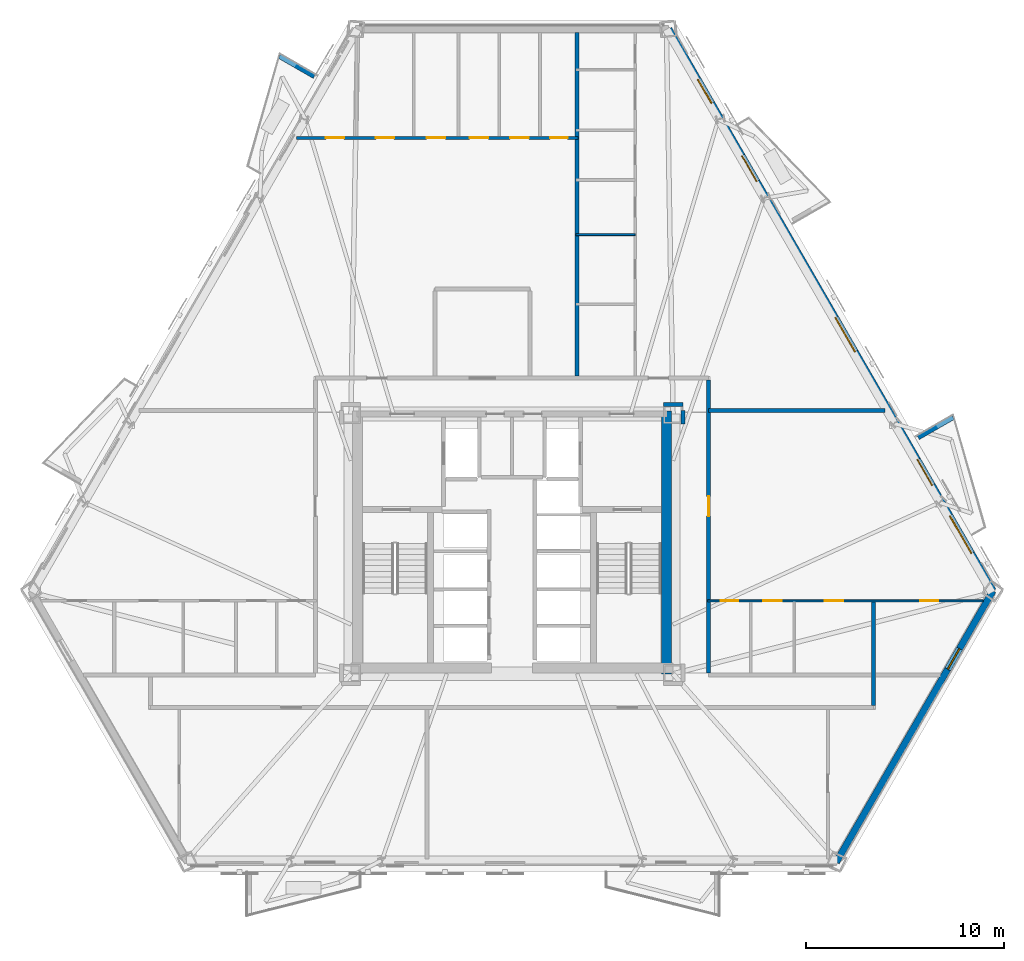
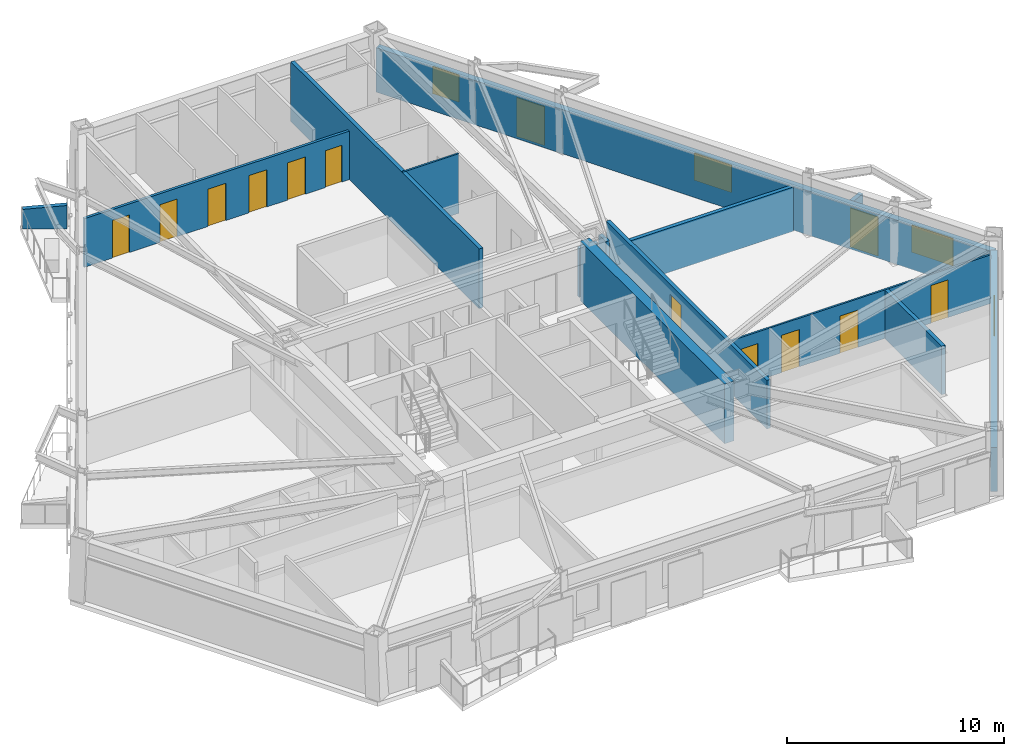
# One storey, part 5 of 12: 14 walls, 13 doors, 4 windows, 17 openings.
"""IFC4 building model written with IfcOpenShell, lengths in metres."""

from ifc_helpers import new_model, si_unit, direction, frame, frame_2d, origin, place, context, subcontext, project, spatial, polyline, rectangle, outline, extrude, material, layer, layer_set, type_object, element, fill, save


model = new_model("IFC4")

# Units and contexts
model_context = context("Model", 3, precision=1e-05, world=origin(), true_north=direction((0.0, 1.0)))
body_context = subcontext(model_context, "Body", "Model", "MODEL_VIEW")
ifc_project = project(units=[si_unit("LENGTHUNIT", "METRE"), si_unit("AREAUNIT", "SQUARE_METRE"), si_unit("VOLUMEUNIT", "CUBIC_METRE"), si_unit("PLANEANGLEUNIT", "RADIAN"), si_unit("MASSUNIT", "GRAM", prefix="KILO")], contexts=[model_context])

# Site, building, storey
site_placement = place(None, origin())
site = spatial("IfcSite", under=ifc_project, at=site_placement, CompositionType="ELEMENT")
building_placement = place(site_placement, origin())
building = spatial("IfcBuilding", under=site, at=building_placement, Name="Oramaril Tower", CompositionType="ELEMENT")
storey_placement = place(building_placement, frame((0.0, 0.0, 30.89990234375)))
storey = spatial("IfcBuildingStorey", under=building, at=storey_placement, Name="L07", CompositionType="ELEMENT", Elevation=30.89990234375)

# Wall, opening, window
ifc_material_1 = material(Name="Warm Cream Limestone", Category="masonry")
ifc_layer_1 = layer(ifc_material_1, 0.340087890625)
ifc_layer_set_1 = layer_set([ifc_layer_1], Name="WT-EXT34")
wall_type_1 = type_object("IfcWallType", Name="WT-EXT34", PredefinedType="SOLIDWALL", material=ifc_layer_set_1)
wall_1_placement = place(storey_placement, frame((53.912353515625, 1.4658203125, 0.0), z_axis=(0.0, 0.0, 1.0), x_axis=(0.500005775488, 0.866022069279, 0.0)))
wall_1 = element("IfcWall", 1, at=wall_1_placement, inside=storey, type_object=wall_type_1, Name="L07 Tower Limestone Facade Wall 3M", PredefinedType="SOLIDWALL", context=body_context, shape_type="SweptSolid", body=[
    extrude(rectangle(XDim=15.863037109375, YDim=0.340087890625, at=frame_2d((7.931640625, 0.0))), origin(), (0.0, 0.0, 1.0), 2.494140625),
])
opening_1_placement = place(wall_1_placement, frame((11.27587890625, 0.0, 0.85009765625)))
opening_1 = element("IfcOpeningElement", 2, at=opening_1_placement, cuts=wall_1, Name="Opening WN-09", PredefinedType="OPENING", context=body_context, shape_type="SweptSolid", body=[
    extrude(rectangle(XDim=1.199951171875, YDim=1.47998046875, at=frame_2d((0.60009765625, 0.739990234375))), frame((0.0, 0.169921875, 0.0), z_axis=(0.0, -1.0, 0.0), x_axis=(1.0, 0.0, 0.0)), (0.0, 0.0, 1.0), 0.340087890625),
])
ifc_material_2 = material(Name="Coastal Low-E Insulated Glass", Category="glass")
window_type_1 = type_object("IfcWindowType", Name="WNT-09", PartitioningType="SINGLE_PANEL", PredefinedType="WINDOW", material=ifc_material_2)
window_1_placement = place(opening_1_placement, origin())
window_1 = element("IfcWindow", 3, at=window_1_placement, inside=storey, type_object=window_type_1, Name="L07 Apartment Bedroom Window WN-09", OverallHeight=1.47998046875, OverallWidth=1.199951171875, PartitioningType="SINGLE_PANEL", PredefinedType="WINDOW", context=body_context, shape_type="SweptSolid", body=[
    extrude(rectangle(XDim=1.199951171875, YDim=1.47998046875, at=frame_2d((0.60009765625, 0.739990234375))), frame((0.0, 0.030029296875, 0.0), z_axis=(0.0, -1.0, 0.0), x_axis=(1.0, 0.0, 0.0)), (0.0, 0.0, 1.0), 0.06005859375),
])
fill(opening_1, window_1)

# Wall, openings, doors, windows
wall_2_placement = place(storey_placement, frame((61.843994140625, 15.20361328125, 0.0), z_axis=(0.0, 0.0, 1.0), x_axis=(-0.500000372107, 0.866025188948, 0.0)))
wall_2 = element("IfcWall", 4, at=wall_2_placement, inside=storey, type_object=wall_type_1, Name="L07 Tower Limestone Facade Wall 4M", PredefinedType="SOLIDWALL", context=body_context, shape_type="SweptSolid", body=[
    extrude(rectangle(XDim=32.82470703125, YDim=0.340087890625, at=frame_2d((16.412353515625, 0.0))), origin(), (0.0, 0.0, 1.0), 2.494140625),
])
opening_2_placement = place(wall_2_placement, frame((6.159423828125, 0.0, 0.0)))
opening_2 = element("IfcOpeningElement", 5, at=opening_2_placement, cuts=wall_2, Name="Opening D-L07-BAL-NE1", PredefinedType="OPENING", context=body_context, shape_type="SweptSolid", body=[
    extrude(rectangle(XDim=1.5, YDim=2.199951171875, at=frame_2d((0.75, 1.10009765625))), frame((0.0, 0.169921875, 0.0), z_axis=(0.0, -1.0, 0.0), x_axis=(1.0, 0.0, 0.0)), (0.0, 0.0, 1.0), 0.340087890625),
])
opening_3_placement = place(wall_2_placement, frame((23.920166015625, 0.0, 0.0)))
opening_3 = element("IfcOpeningElement", 6, at=opening_3_placement, cuts=wall_2, Name="Opening D-L07-BAL-NE2", PredefinedType="OPENING", context=body_context, shape_type="SweptSolid", body=[
    extrude(rectangle(XDim=1.5, YDim=2.199951171875, at=frame_2d((0.75, 1.10009765625))), frame((0.0, 0.169921875, 0.0), z_axis=(0.0, -1.0, 0.0), x_axis=(1.0, 0.0, 0.0)), (0.0, 0.0, 1.0), 0.340087890625),
])
opening_4_placement = place(wall_2_placement, frame((2.1796875, 0.0, 0.85009765625)))
opening_4 = element("IfcOpeningElement", 7, at=opening_4_placement, cuts=wall_2, Name="Opening WN-04", PredefinedType="OPENING", context=body_context, shape_type="SweptSolid", body=[
    extrude(rectangle(XDim=2.199951171875, YDim=1.533935546875, at=frame_2d((1.10009765625, 0.76708984375))), frame((0.0, 0.169921875, 0.0), z_axis=(0.0, -1.0, 0.0), x_axis=(1.0, 0.0, 0.0)), (0.0, 0.0, 1.0), 0.340087890625),
])
opening_5_placement = place(wall_2_placement, frame((13.96142578125, 0.0, 0.85009765625)))
opening_5 = element("IfcOpeningElement", 8, at=opening_5_placement, cuts=wall_2, Name="Opening WN-05", PredefinedType="OPENING", context=body_context, shape_type="SweptSolid", body=[
    extrude(rectangle(XDim=2.0, YDim=1.533935546875, at=frame_2d((1.0, 0.76708984375))), frame((0.0, 0.169921875, 0.0), z_axis=(0.0, -1.0, 0.0), x_axis=(1.0, 0.0, 0.0)), (0.0, 0.0, 1.0), 0.340087890625),
])
opening_6_placement = place(wall_2_placement, frame((28.489013671875, 0.0, 0.85009765625)))
opening_6 = element("IfcOpeningElement", 9, at=opening_6_placement, cuts=wall_2, Name="Opening WN-08", PredefinedType="OPENING", context=body_context, shape_type="SweptSolid", body=[
    extrude(rectangle(XDim=1.39990234375, YDim=1.533935546875, at=frame_2d((0.699951171875, 0.76708984375))), frame((0.0, 0.169921875, 0.0), z_axis=(0.0, -1.0, 0.0), x_axis=(1.0, 0.0, 0.0)), (0.0, 0.0, 1.0), 0.340087890625),
])
ifc_material_3 = material(Name="Anodised Aluminium 6063-T6", Category="aluminium")
door_type_1 = type_object("IfcDoorType", Name="DT-BAL", OperationType="NOTDEFINED", PredefinedType="DOOR", material=ifc_material_3)
door_1_placement = place(opening_2_placement, origin())
door_1 = element("IfcDoor", 10, at=door_1_placement, inside=storey, type_object=door_type_1, Name="L07 Balcony Glazed Door L07-BAL-NE1", OperationType="SINGLE_SWING_RIGHT", OverallHeight=2.199951171875, OverallWidth=1.5, PredefinedType="DOOR", context=body_context, shape_type="SweptSolid", body=[
    extrude(rectangle(XDim=1.5, YDim=2.199951171875, at=frame_2d((0.75, 1.10009765625))), frame((0.0, 0.02490234375, 0.0), z_axis=(0.0, -1.0, 0.0), x_axis=(1.0, 0.0, 0.0)), (0.0, 0.0, 1.0), 0.050048828125),
])
fill(opening_2, door_1)
door_2_placement = place(opening_3_placement, origin())
door_2 = element("IfcDoor", 11, at=door_2_placement, inside=storey, type_object=door_type_1, Name="L07 Balcony Glazed Door L07-BAL-NE2", OperationType="SINGLE_SWING_LEFT", OverallHeight=2.199951171875, OverallWidth=1.5, PredefinedType="DOOR", context=body_context, shape_type="SweptSolid", body=[
    extrude(rectangle(XDim=1.5, YDim=2.199951171875, at=frame_2d((0.75, 1.10009765625))), frame((0.0, 0.02490234375, 0.0), z_axis=(0.0, -1.0, 0.0), x_axis=(1.0, 0.0, 0.0)), (0.0, 0.0, 1.0), 0.050048828125),
])
fill(opening_3, door_2)
ifc_material_4 = material(Name="Coastal Low-E Insulated Glass", Category="glass")
window_type_2 = type_object("IfcWindowType", Name="WNT-04", PartitioningType="SINGLE_PANEL", PredefinedType="WINDOW", material=ifc_material_4)
window_2_placement = place(opening_4_placement, origin())
window_2 = element("IfcWindow", 12, at=window_2_placement, inside=storey, type_object=window_type_2, Name="L07 Chicago Bay Window WN-04", OverallHeight=1.533935546875, OverallWidth=2.199951171875, PartitioningType="SINGLE_PANEL", PredefinedType="WINDOW", context=body_context, shape_type="SweptSolid", body=[
    extrude(rectangle(XDim=2.199951171875, YDim=1.533935546875, at=frame_2d((1.10009765625, 0.76708984375))), frame((0.0, 0.030029296875, 0.0), z_axis=(0.0, -1.0, 0.0), x_axis=(1.0, 0.0, 0.0)), (0.0, 0.0, 1.0), 0.06005859375),
])
fill(opening_4, window_2)
ifc_material_5 = material(Name="Coastal Low-E Insulated Glass", Category="glass")
window_type_3 = type_object("IfcWindowType", Name="WNT-05", PartitioningType="SINGLE_PANEL", PredefinedType="WINDOW", material=ifc_material_5)
window_3_placement = place(opening_5_placement, origin())
window_3 = element("IfcWindow", 13, at=window_3_placement, inside=storey, type_object=window_type_3, Name="L07 Chicago Bay Window WN-05", OverallHeight=1.533935546875, OverallWidth=2.0, PartitioningType="SINGLE_PANEL", PredefinedType="WINDOW", context=body_context, shape_type="SweptSolid", body=[
    extrude(rectangle(XDim=2.0, YDim=1.533935546875, at=frame_2d((1.0, 0.76708984375))), frame((0.0, 0.030029296875, 0.0), z_axis=(0.0, -1.0, 0.0), x_axis=(1.0, 0.0, 0.0)), (0.0, 0.0, 1.0), 0.06005859375),
])
fill(opening_5, window_3)
ifc_material_6 = material(Name="Coastal Low-E Insulated Glass", Category="glass")
window_type_4 = type_object("IfcWindowType", Name="WNT-08", PartitioningType="SINGLE_PANEL", PredefinedType="WINDOW", material=ifc_material_6)
window_4_placement = place(opening_6_placement, origin())
window_4 = element("IfcWindow", 14, at=window_4_placement, inside=storey, type_object=window_type_4, Name="L07 Chicago Bay Window WN-08", OverallHeight=1.533935546875, OverallWidth=1.39990234375, PartitioningType="SINGLE_PANEL", PredefinedType="WINDOW", context=body_context, shape_type="SweptSolid", body=[
    extrude(rectangle(XDim=1.39990234375, YDim=1.533935546875, at=frame_2d((0.699951171875, 0.76708984375))), frame((0.0, 0.030029296875, 0.0), z_axis=(0.0, -1.0, 0.0), x_axis=(1.0, 0.0, 0.0)), (0.0, 0.0, 1.0), 0.06005859375),
])
fill(opening_6, window_4)

# Walls
ifc_material_7 = material(Name="Concrete C40/50", Category="concrete")
ifc_layer_2 = layer(ifc_material_7, 0.22998046875)
ifc_layer_set_2 = layer_set([ifc_layer_2], Name="WT-PRP23")
wall_type_2 = type_object("IfcWallType", Name="WT-PRP23", PredefinedType="PARAPET", material=ifc_layer_set_2)
for number, where, z_axis, x_axis, name in (
    (15, (58.0595703125, 22.954345703125, 0.0), (0.0, 0.0, 1.0), (0.866012356593, 0.500022597718, 0.0), "L07 Trapezoidal Balcony Frame Cheek L07-BAL-NE1-R"),
    (16, (27.493408203125, 41.232421875, 0.0), (0.0, 0.0, 1.0), (-0.866042246008, 0.499970827278, 0.0), "L07 Trapezoidal Balcony Frame Cheek L07-BAL-NW1-L"),
):
    element("IfcWall", number, at=place(storey_placement, frame(where, z_axis=z_axis, x_axis=x_axis)), inside=storey, type_object=wall_type_2, Name=name, PredefinedType="PARAPET", context=body_context, shape_type="SweptSolid", body=[
        extrude(outline(polyline([(0.0, 0.0), (2.0419921875, 0.0), (2.0419921875, 1.10009765625), (0.0, 1.320068359375), (0.0, 0.0)])), frame((0.0, 0.114990234375, 0.0), z_axis=(0.0, -1.0, 0.0), x_axis=(1.0, 0.0, 0.0)), (0.0, 0.0, 1.0), 0.22998046875),
    ])

# Wall, openings, doors
ifc_material_8 = material(Name="Acoustic Gypsum Board Partition")
ifc_layer_3 = layer(ifc_material_8, 0.10009765625)
ifc_layer_set_3 = layer_set([ifc_layer_3], Name="WT-PT10")
wall_type_3 = type_object("IfcWallType", Name="WT-PT10", PredefinedType="PARTITIONING", material=ifc_layer_set_3)
wall_3_placement = place(storey_placement, frame((47.39990234375, 14.68994140625, 0.0), z_axis=(0.0, 0.0, 1.0), x_axis=(1.0, 0.0, 0.0)))
wall_3 = element("IfcWall", 17, at=wall_3_placement, inside=storey, type_object=wall_type_3, Name="L07 Interior Partition PT-10", PredefinedType="PARTITIONING", context=body_context, shape_type="SweptSolid", body=[
    extrude(rectangle(XDim=13.946533203125, YDim=0.10009765625, at=frame_2d((6.97314453125, 0.0))), origin(), (0.0, 0.0, 1.0), 2.738037109375),
])
opening_7_placement = place(wall_3_placement, frame((0.658935546875, 0.0, 0.0)))
opening_7 = element("IfcOpeningElement", 18, at=opening_7_placement, cuts=wall_3, Name="Opening D-L07-08", PredefinedType="OPENING", context=body_context, shape_type="SweptSolid", body=[
    extrude(rectangle(XDim=0.8798828125, YDim=2.080078125, at=frame_2d((0.43994140625, 1.0400390625))), frame((0.0, 0.050048828125, 0.0), z_axis=(0.0, -1.0, 0.0), x_axis=(1.0, 0.0, 0.0)), (0.0, 0.0, 1.0), 0.10009765625),
])
opening_8_placement = place(wall_3_placement, frame((2.803955078125, 0.0, 0.0)))
opening_8 = element("IfcOpeningElement", 19, at=opening_8_placement, cuts=wall_3, Name="Opening D-L07-09", PredefinedType="OPENING", context=body_context, shape_type="SweptSolid", body=[
    extrude(rectangle(XDim=0.949951171875, YDim=2.10009765625, at=frame_2d((0.47509765625, 1.050048828125))), frame((0.0, 0.050048828125, 0.0), z_axis=(0.0, -1.0, 0.0), x_axis=(1.0, 0.0, 0.0)), (0.0, 0.0, 1.0), 0.10009765625),
])
opening_9_placement = place(wall_3_placement, frame((5.92626953125, 0.0, 0.0)))
opening_9 = element("IfcOpeningElement", 20, at=opening_9_placement, cuts=wall_3, Name="Opening D-L07-10", PredefinedType="OPENING", context=body_context, shape_type="SweptSolid", body=[
    extrude(rectangle(XDim=0.949951171875, YDim=2.10009765625, at=frame_2d((0.47509765625, 1.050048828125))), frame((0.0, 0.050048828125, 0.0), z_axis=(0.0, -1.0, 0.0), x_axis=(1.0, 0.0, 0.0)), (0.0, 0.0, 1.0), 0.10009765625),
])
opening_10_placement = place(wall_3_placement, frame((10.75439453125, 0.0, 0.0)))
opening_10 = element("IfcOpeningElement", 21, at=opening_10_placement, cuts=wall_3, Name="Opening D-L07-11", PredefinedType="OPENING", context=body_context, shape_type="SweptSolid", body=[
    extrude(rectangle(XDim=0.919921875, YDim=2.1201171875, at=frame_2d((0.4599609375, 1.06005859375))), frame((0.0, 0.050048828125, 0.0), z_axis=(0.0, -1.0, 0.0), x_axis=(1.0, 0.0, 0.0)), (0.0, 0.0, 1.0), 0.10009765625),
])
ifc_material_9 = material(Name="FSC Brazilian Freijo Hardwood", Category="wood")
door_type_2 = type_object("IfcDoorType", Name="DT-BATH", OperationType="NOTDEFINED", PredefinedType="DOOR", material=ifc_material_9)
door_3_placement = place(opening_7_placement, origin())
door_3 = element("IfcDoor", 22, at=door_3_placement, inside=storey, type_object=door_type_2, Name="L07 Flat L07-U4 Bathroom Door D-L07-08", OperationType="SINGLE_SWING_RIGHT", OverallHeight=2.080078125, OverallWidth=0.8798828125, PredefinedType="DOOR", context=body_context, shape_type="SweptSolid", body=[
    extrude(rectangle(XDim=0.8798828125, YDim=2.080078125, at=frame_2d((0.43994140625, 1.0400390625))), frame((0.0, 0.02490234375, 0.0), z_axis=(0.0, -1.0, 0.0), x_axis=(1.0, 0.0, 0.0)), (0.0, 0.0, 1.0), 0.050048828125),
])
fill(opening_7, door_3)
ifc_material_10 = material(Name="FSC Brazilian Freijo Hardwood", Category="wood")
door_type_3 = type_object("IfcDoorType", Name="DT-BED", OperationType="NOTDEFINED", PredefinedType="DOOR", material=ifc_material_10)
door_4_placement = place(opening_10_placement, origin())
door_4 = element("IfcDoor", 23, at=door_4_placement, inside=storey, type_object=door_type_3, Name="L07 Flat L07-U4 Master Bedroom Door D-L07-11", OperationType="SINGLE_SWING_LEFT", OverallHeight=2.1201171875, OverallWidth=0.919921875, PredefinedType="DOOR", context=body_context, shape_type="SweptSolid", body=[
    extrude(rectangle(XDim=0.919921875, YDim=2.1201171875, at=frame_2d((0.4599609375, 1.06005859375))), frame((0.0, 0.02490234375, 0.0), z_axis=(0.0, -1.0, 0.0), x_axis=(1.0, 0.0, 0.0)), (0.0, 0.0, 1.0), 0.050048828125),
])
fill(opening_10, door_4)
ifc_material_11 = material(Name="FSC Brazilian Freijo Hardwood", Category="wood")
door_type_4 = type_object("IfcDoorType", Name="DT-STDY", OperationType="NOTDEFINED", PredefinedType="DOOR", material=ifc_material_11)
door_5_placement = place(opening_8_placement, origin())
door_5 = element("IfcDoor", 24, at=door_5_placement, inside=storey, type_object=door_type_4, Name="L07 Flat L07-U4 Kitchen Door D-L07-09", OperationType="SINGLE_SWING_LEFT", OverallHeight=2.10009765625, OverallWidth=0.949951171875, PredefinedType="DOOR", context=body_context, shape_type="SweptSolid", body=[
    extrude(rectangle(XDim=0.949951171875, YDim=2.10009765625, at=frame_2d((0.47509765625, 1.050048828125))), frame((0.0, 0.02490234375, 0.0), z_axis=(0.0, -1.0, 0.0), x_axis=(1.0, 0.0, 0.0)), (0.0, 0.0, 1.0), 0.050048828125),
])
fill(opening_8, door_5)
door_6_placement = place(opening_9_placement, origin())
door_6 = element("IfcDoor", 25, at=door_6_placement, inside=storey, type_object=door_type_4, Name="L07 Flat L07-U4 Home Office Door D-L07-10", OperationType="SINGLE_SWING_RIGHT", OverallHeight=2.10009765625, OverallWidth=0.949951171875, PredefinedType="DOOR", context=body_context, shape_type="SweptSolid", body=[
    extrude(rectangle(XDim=0.949951171875, YDim=2.10009765625, at=frame_2d((0.47509765625, 1.050048828125))), frame((0.0, 0.02490234375, 0.0), z_axis=(0.0, -1.0, 0.0), x_axis=(1.0, 0.0, 0.0)), (0.0, 0.0, 1.0), 0.050048828125),
])
fill(opening_9, door_6)

# Wall
wall_4_placement = place(storey_placement, frame((40.75, 33.22998046875, 0.0), z_axis=(0.0, 0.0, 1.0), x_axis=(1.0, 0.0, 0.0)))
element("IfcWall", 26, at=wall_4_placement, inside=storey, type_object=wall_type_3, Name="L07 Interior Partition PT-10", PredefinedType="PARTITIONING", context=body_context, shape_type="SweptSolid", body=[
    extrude(rectangle(XDim=2.97998046875, YDim=0.10009765625, at=frame_2d((1.489990234375, 0.0))), origin(), (0.0, 0.0, 1.0), 3.360107421875),
])

# Wall, openings, doors
ifc_material_12 = material(Name="Acoustic Gypsum Board Partition")
ifc_layer_4 = layer(ifc_material_12, 0.139892578125)
ifc_layer_set_4 = layer_set([ifc_layer_4], Name="WT-PT14")
wall_type_4 = type_object("IfcWallType", Name="WT-PT14", PredefinedType="PARTITIONING", material=ifc_layer_set_4)
wall_5_placement = place(storey_placement, frame((26.587890625, 38.1201171875, 0.0), z_axis=(0.0, 0.0, 1.0), x_axis=(1.0, 0.0, 0.0)))
wall_5 = element("IfcWall", 27, at=wall_5_placement, inside=storey, type_object=wall_type_4, Name="L07 Interior Partition PT-14", PredefinedType="PARTITIONING", context=body_context, shape_type="SweptSolid", body=[
    extrude(rectangle(XDim=14.26220703125, YDim=0.139892578125, at=frame_2d((7.131103515625, 0.0))), origin(), (0.0, 0.0, 1.0), 2.738037109375),
])
opening_11_placement = place(wall_5_placement, frame((1.49462890625, 0.0, 0.0)))
opening_11 = element("IfcOpeningElement", 28, at=opening_11_placement, cuts=wall_5, Name="Opening D-L07-15", PredefinedType="OPENING", context=body_context, shape_type="SweptSolid", body=[
    extrude(rectangle(XDim=0.919921875, YDim=2.1201171875, at=frame_2d((0.4599609375, 1.06005859375))), frame((0.0, 0.06982421875, 0.0), z_axis=(0.0, -1.0, 0.0), x_axis=(1.0, 0.0, 0.0)), (0.0, 0.0, 1.0), 0.139892578125),
])
opening_12_placement = place(wall_5_placement, frame((4.026123046875, 0.0, 0.0)))
opening_12 = element("IfcOpeningElement", 29, at=opening_12_placement, cuts=wall_5, Name="Opening D-L07-16", PredefinedType="OPENING", context=body_context, shape_type="SweptSolid", body=[
    extrude(rectangle(XDim=0.919921875, YDim=2.1201171875, at=frame_2d((0.4599609375, 1.06005859375))), frame((0.0, 0.06982421875, 0.0), z_axis=(0.0, -1.0, 0.0), x_axis=(1.0, 0.0, 0.0)), (0.0, 0.0, 1.0), 0.139892578125),
])
opening_13_placement = place(wall_5_placement, frame((6.59423828125, 0.0, 0.0)))
opening_13 = element("IfcOpeningElement", 30, at=opening_13_placement, cuts=wall_5, Name="Opening D-L07-17", PredefinedType="OPENING", context=body_context, shape_type="SweptSolid", body=[
    extrude(rectangle(XDim=0.949951171875, YDim=2.10009765625, at=frame_2d((0.47509765625, 1.050048828125))), frame((0.0, 0.06982421875, 0.0), z_axis=(0.0, -1.0, 0.0), x_axis=(1.0, 0.0, 0.0)), (0.0, 0.0, 1.0), 0.139892578125),
])
opening_14_placement = place(wall_5_placement, frame((8.763916015625, 0.0, 0.0)))
opening_14 = element("IfcOpeningElement", 31, at=opening_14_placement, cuts=wall_5, Name="Opening D-L07-18", PredefinedType="OPENING", context=body_context, shape_type="SweptSolid", body=[
    extrude(rectangle(XDim=0.949951171875, YDim=2.10009765625, at=frame_2d((0.47509765625, 1.050048828125))), frame((0.0, 0.06982421875, 0.0), z_axis=(0.0, -1.0, 0.0), x_axis=(1.0, 0.0, 0.0)), (0.0, 0.0, 1.0), 0.139892578125),
])
opening_15_placement = place(wall_5_placement, frame((10.822265625, 0.0, 0.0)))
opening_15 = element("IfcOpeningElement", 32, at=opening_15_placement, cuts=wall_5, Name="Opening D-L07-19", PredefinedType="OPENING", context=body_context, shape_type="SweptSolid", body=[
    extrude(rectangle(XDim=0.949951171875, YDim=2.10009765625, at=frame_2d((0.47509765625, 1.050048828125))), frame((0.0, 0.06982421875, 0.0), z_axis=(0.0, -1.0, 0.0), x_axis=(1.0, 0.0, 0.0)), (0.0, 0.0, 1.0), 0.139892578125),
])
opening_16_placement = place(wall_5_placement, frame((12.84228515625, 0.0, 0.0)))
opening_16 = element("IfcOpeningElement", 33, at=opening_16_placement, cuts=wall_5, Name="Opening D-L07-20", PredefinedType="OPENING", context=body_context, shape_type="SweptSolid", body=[
    extrude(rectangle(XDim=0.8798828125, YDim=2.080078125, at=frame_2d((0.43994140625, 1.0400390625))), frame((0.0, 0.06982421875, 0.0), z_axis=(0.0, -1.0, 0.0), x_axis=(1.0, 0.0, 0.0)), (0.0, 0.0, 1.0), 0.139892578125),
])
door_7_placement = place(opening_16_placement, origin())
door_7 = element("IfcDoor", 34, at=door_7_placement, inside=storey, type_object=door_type_2, Name="L07 Flat L07-U5 Bathroom Door D-L07-20", OperationType="SINGLE_SWING_RIGHT", OverallHeight=2.080078125, OverallWidth=0.8798828125, PredefinedType="DOOR", context=body_context, shape_type="SweptSolid", body=[
    extrude(rectangle(XDim=0.8798828125, YDim=2.080078125, at=frame_2d((0.43994140625, 1.0400390625))), frame((0.0, 0.02490234375, 0.0), z_axis=(0.0, -1.0, 0.0), x_axis=(1.0, 0.0, 0.0)), (0.0, 0.0, 1.0), 0.050048828125),
])
fill(opening_16, door_7)
door_8_placement = place(opening_11_placement, origin())
door_8 = element("IfcDoor", 35, at=door_8_placement, inside=storey, type_object=door_type_3, Name="L07 Flat L07-U5 Master Bedroom Door D-L07-15", OperationType="SINGLE_SWING_LEFT", OverallHeight=2.1201171875, OverallWidth=0.919921875, PredefinedType="DOOR", context=body_context, shape_type="SweptSolid", body=[
    extrude(rectangle(XDim=0.919921875, YDim=2.1201171875, at=frame_2d((0.4599609375, 1.06005859375))), frame((0.0, 0.02490234375, 0.0), z_axis=(0.0, -1.0, 0.0), x_axis=(1.0, 0.0, 0.0)), (0.0, 0.0, 1.0), 0.050048828125),
])
fill(opening_11, door_8)
door_9_placement = place(opening_12_placement, origin())
door_9 = element("IfcDoor", 36, at=door_9_placement, inside=storey, type_object=door_type_3, Name="L07 Flat L07-U5 Bedroom 2 Door D-L07-16", OperationType="SINGLE_SWING_RIGHT", OverallHeight=2.1201171875, OverallWidth=0.919921875, PredefinedType="DOOR", context=body_context, shape_type="SweptSolid", body=[
    extrude(rectangle(XDim=0.919921875, YDim=2.1201171875, at=frame_2d((0.4599609375, 1.06005859375))), frame((0.0, 0.02490234375, 0.0), z_axis=(0.0, -1.0, 0.0), x_axis=(1.0, 0.0, 0.0)), (0.0, 0.0, 1.0), 0.050048828125),
])
fill(opening_12, door_9)
door_10_placement = place(opening_13_placement, origin())
door_10 = element("IfcDoor", 37, at=door_10_placement, inside=storey, type_object=door_type_4, Name="L07 Flat L07-U5 Dining Room Door D-L07-17", OperationType="SINGLE_SWING_LEFT", OverallHeight=2.10009765625, OverallWidth=0.949951171875, PredefinedType="DOOR", context=body_context, shape_type="SweptSolid", body=[
    extrude(rectangle(XDim=0.949951171875, YDim=2.10009765625, at=frame_2d((0.47509765625, 1.050048828125))), frame((0.0, 0.02490234375, 0.0), z_axis=(0.0, -1.0, 0.0), x_axis=(1.0, 0.0, 0.0)), (0.0, 0.0, 1.0), 0.050048828125),
])
fill(opening_13, door_10)
door_11_placement = place(opening_14_placement, origin())
door_11 = element("IfcDoor", 38, at=door_11_placement, inside=storey, type_object=door_type_4, Name="L07 Flat L07-U5 Private Dining Room Door D-L07-18", OperationType="SINGLE_SWING_RIGHT", OverallHeight=2.10009765625, OverallWidth=0.949951171875, PredefinedType="DOOR", context=body_context, shape_type="SweptSolid", body=[
    extrude(rectangle(XDim=0.949951171875, YDim=2.10009765625, at=frame_2d((0.47509765625, 1.050048828125))), frame((0.0, 0.02490234375, 0.0), z_axis=(0.0, -1.0, 0.0), x_axis=(1.0, 0.0, 0.0)), (0.0, 0.0, 1.0), 0.050048828125),
])
fill(opening_14, door_11)
door_12_placement = place(opening_15_placement, origin())
door_12 = element("IfcDoor", 39, at=door_12_placement, inside=storey, type_object=door_type_4, Name="L07 Flat L07-U5 Kitchen Door D-L07-19", OperationType="SINGLE_SWING_LEFT", OverallHeight=2.10009765625, OverallWidth=0.949951171875, PredefinedType="DOOR", context=body_context, shape_type="SweptSolid", body=[
    extrude(rectangle(XDim=0.949951171875, YDim=2.10009765625, at=frame_2d((0.47509765625, 1.050048828125))), frame((0.0, 0.02490234375, 0.0), z_axis=(0.0, -1.0, 0.0), x_axis=(1.0, 0.0, 0.0)), (0.0, 0.0, 1.0), 0.050048828125),
])
fill(opening_15, door_12)

# Walls
ifc_material_13 = material(Name="Autoclaved Cellular Concrete Block", Category="concrete")
ifc_layer_5 = layer(ifc_material_13, 0.199951171875)
ifc_layer_set_5 = layer_set([ifc_layer_5], Name="WT-PT20")
wall_type_5 = type_object("IfcWallType", Name="WT-PT20", PredefinedType="PARTITIONING", material=ifc_layer_set_5)
wall_6_placement = place(storey_placement, frame((47.449951171875, 24.320068359375, 0.0), z_axis=(0.0, 0.0, 1.0), x_axis=(1.0, 0.0, 0.0)))
element("IfcWall", 40, at=wall_6_placement, inside=storey, type_object=wall_type_5, Name="L07 Interior Partition PT-20", PredefinedType="PARTITIONING", context=body_context, shape_type="SweptSolid", body=[
    extrude(rectangle(XDim=8.9296875, YDim=0.199951171875, at=frame_2d((4.46484375, 0.0))), origin(), (0.0, 0.0, 1.0), 2.494140625),
])
wall_7_placement = place(storey_placement, frame((45.155029296875, 24.639892578125, 0.0), z_axis=(0.0, 0.0, 1.0), x_axis=(1.0, 0.0, 0.0)))
element("IfcWall", 41, at=wall_7_placement, inside=storey, type_object=wall_type_5, Name="L07 Interior Partition PT-20", PredefinedType="PARTITIONING", context=body_context, shape_type="SweptSolid", body=[
    extrude(rectangle(XDim=0.989990234375, YDim=0.199951171875, at=frame_2d((0.4951171875, 0.0))), origin(), (0.0, 0.0, 1.0), 2.738037109375),
])
wall_8_placement = place(storey_placement, frame((40.800048828125, 26.073974609375, 0.0), z_axis=(0.0, 0.0, 1.0), x_axis=(0.0, 1.0, 0.0)))
element("IfcWall", 42, at=wall_8_placement, inside=storey, type_object=wall_type_5, Name="L07 Interior Partition PT-20", PredefinedType="PARTITIONING", context=body_context, shape_type="SweptSolid", body=[
    extrude(rectangle(XDim=17.382568359375, YDim=0.199951171875, at=frame_2d((8.69140625, 0.0))), origin(), (0.0, 0.0, 1.0), 3.360107421875),
])
wall_9_placement = place(storey_placement, frame((46.14990234375, 23.655029296875, 0.0), z_axis=(0.0, 0.0, 1.0), x_axis=(0.0, 1.0, 0.0)))
element("IfcWall", 43, at=wall_9_placement, inside=storey, type_object=wall_type_5, Name="L07 Interior Partition PT-20", PredefinedType="PARTITIONING", context=body_context, shape_type="SweptSolid", body=[
    extrude(rectangle(XDim=0.6650390625, YDim=0.199951171875, at=frame_2d((0.33251953125, 0.0))), origin(), (0.0, 0.0, 1.0), 3.360107421875),
])

# Wall, opening, door
wall_10_placement = place(storey_placement, frame((47.449951171875, 11.053955078125, 0.0), z_axis=(0.0, 0.0, 1.0), x_axis=(0.0, 1.0, 0.0)))
wall_10 = element("IfcWall", 44, at=wall_10_placement, inside=storey, type_object=wall_type_5, Name="L07 Interior Partition PT-20", PredefinedType="PARTITIONING", context=body_context, shape_type="SweptSolid", body=[
    extrude(rectangle(XDim=14.81201171875, YDim=0.199951171875, at=frame_2d((7.406005859375, 0.0))), origin(), (0.0, 0.0, 1.0), 2.738037109375),
])
opening_17_placement = place(wall_10_placement, frame((7.931884765625, 0.0, 0.0)))
opening_17 = element("IfcOpeningElement", 45, at=opening_17_placement, cuts=wall_10, Name="Opening D-L07-29", PredefinedType="OPENING", context=body_context, shape_type="SweptSolid", body=[
    extrude(rectangle(XDim=1.0, YDim=2.179931640625, at=frame_2d((0.5, 1.08984375))), frame((0.0, 0.10009765625, 0.0), z_axis=(0.0, -1.0, 0.0), x_axis=(1.0, 0.0, 0.0)), (0.0, 0.0, 1.0), 0.199951171875),
])
ifc_material_14 = material(Name="FSC Brazilian Freijo Hardwood", Category="wood")
door_type_5 = type_object("IfcDoorType", Name="DT-APT", OperationType="NOTDEFINED", PredefinedType="DOOR", material=ifc_material_14)
door_13_placement = place(opening_17_placement, origin())
door_13 = element("IfcDoor", 46, at=door_13_placement, inside=storey, type_object=door_type_5, Name="L07 Flat L07-U4 Penthouse Living and Dining Room Door D-L07-29", OperationType="SINGLE_SWING_LEFT", OverallHeight=2.179931640625, OverallWidth=1.0, PredefinedType="DOOR", context=body_context, shape_type="SweptSolid", body=[
    extrude(rectangle(XDim=1.0, YDim=2.179931640625, at=frame_2d((0.5, 1.08984375))), frame((0.0, 0.02490234375, 0.0), z_axis=(0.0, -1.0, 0.0), x_axis=(1.0, 0.0, 0.0)), (0.0, 0.0, 1.0), 0.050048828125),
])
fill(opening_17, door_13)

# Walls
wall_11_placement = place(storey_placement, frame((55.800048828125, 9.404052734375, 0.0), z_axis=(0.0, 0.0, 1.0), x_axis=(0.0, 1.0, 0.0)))
element("IfcWall", 47, at=wall_11_placement, inside=storey, type_object=wall_type_5, Name="L07 Interior Partition PT-20", PredefinedType="PARTITIONING", context=body_context, shape_type="SweptSolid", body=[
    extrude(rectangle(XDim=5.23193359375, YDim=0.199951171875, at=frame_2d((2.615966796875, 0.0))), origin(), (0.0, 0.0, 1.0), 2.738037109375),
])
ifc_material_15 = material(Name="Concrete C50/60", Category="concrete")
ifc_layer_6 = layer(ifc_material_15, 0.5)
ifc_layer_set_6 = layer_set([ifc_layer_6], Name="WT-SH50")
wall_type_6 = type_object("IfcWallType", Name="WT-SH50", PredefinedType="SHEAR", material=ifc_layer_set_6)
wall_12_placement = place(storey_placement, frame((45.31005859375, 11.0, 0.0), z_axis=(0.0, 0.0, 1.0), x_axis=(0.0, 1.0, 0.0)))
element("IfcWall", 48, at=wall_12_placement, inside=storey, type_object=wall_type_6, Name="L07 Core Shear Wall CW-E", PredefinedType="SHEAR", context=body_context, shape_type="SweptSolid", body=[
    extrude(rectangle(XDim=13.300048828125, YDim=0.5, at=frame_2d((6.64990234375, 0.0))), origin(), (0.0, 0.0, 1.0), 3.360107421875),
])

save(model, "model.ifc")
